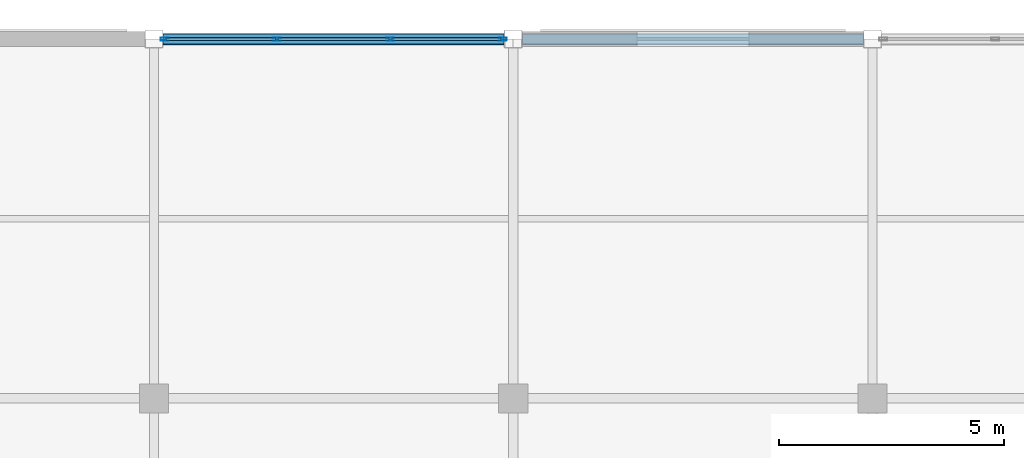
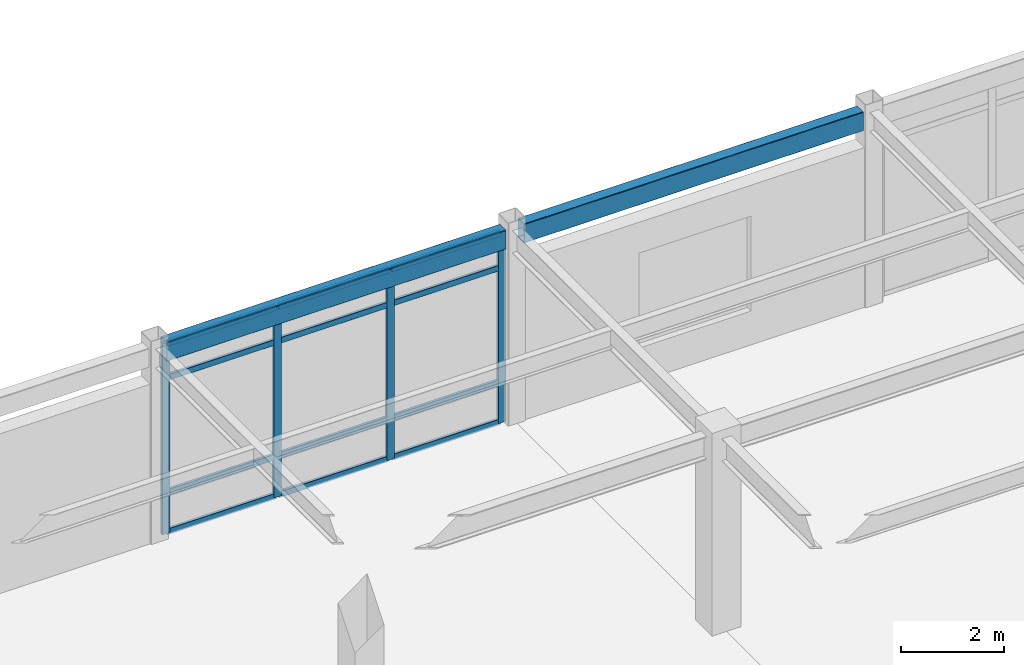
# One storey, part 61 of 117: 16 members, 2 beams, 1 element without a shape of its own.
"""IFC4 building model written with IfcOpenShell, lengths in metres."""

from ifc_helpers import new_model, si_unit, direction, frame, origin, origin_2d, place, context, subcontext, project, spatial, hollow_rectangle, extrude, material, material_profile, profile_set, type_object, element, aggregate, save


model = new_model("IFC4")

# Units and contexts
model_context = context("Model", 3, precision=1e-05, world=origin(), true_north=direction((0.0, 1.0)))
body_context = subcontext(model_context, "Body", "Model", "MODEL_VIEW")
ifc_project = project(units=[si_unit("LENGTHUNIT", "METRE"), si_unit("AREAUNIT", "SQUARE_METRE"), si_unit("VOLUMEUNIT", "CUBIC_METRE"), si_unit("PLANEANGLEUNIT", "RADIAN"), si_unit("MASSUNIT", "GRAM", prefix="KILO")], contexts=[model_context])

# Site, building, storey
site_placement = place(None, origin())
site = spatial("IfcSite", under=ifc_project, at=site_placement, CompositionType="ELEMENT")
building_placement = place(site_placement, origin())
building = spatial("IfcBuilding", under=site, at=building_placement, Name="Solmirada Galleria", CompositionType="ELEMENT")
storey_placement = place(building_placement, frame((0.0, 0.0, 5.60009765625)))
storey = spatial("IfcBuildingStorey", under=building, at=storey_placement, Name="L01", CompositionType="ELEMENT", Elevation=5.60009765625)

# Beams
ifc_material_1 = material(Name="Steel S355 / ASTM A500 Grade C", Category="steel")
ifc_material_profile_1 = material_profile(ifc_material_1, hollow_rectangle(XDim=0.25390625, YDim=0.45703125, WallThickness=0.01171875, InnerFilletRadius=0.01171875, OuterFilletRadius=0.023681640625, at=origin_2d()), Name="HSS18X10X1/2")
ifc_profile_set_1 = profile_set([ifc_material_profile_1], Name="Steel S355 / ASTM A500 Grade C")
beam_type = type_object("IfcBeamType", Name="BM-SPAND-W18", PredefinedType="SPANDREL", material=ifc_profile_set_1)
for number, where, z_axis, x_axis, name in (
    (1, (72.202880859375, 120.0, 4.371337890625), (1.0, 0.0, 0.0), (0.0, 1.0, 0.0), "Primary beam L02 X(72..80, 120)"),
    (2, (80.202880859375, 120.0, 4.371337890625), (1.0, 0.0, 0.0), (0.0, 1.0, 0.0), "Primary beam L02 X(80..88, 120)"),
):
    element("IfcBeam", number, at=place(storey_placement, frame(where, z_axis=z_axis, x_axis=x_axis)), inside=storey, type_object=beam_type, Name=name, PredefinedType="SPANDREL", context=body_context, shape_type="SweptSolid", body=[
        extrude(hollow_rectangle(XDim=0.25390625, YDim=0.45703125, WallThickness=0.01171875, InnerFilletRadius=0.01171875, OuterFilletRadius=0.023681640625, at=origin_2d()), origin(), (0.0, 0.0, 1.0), 7.59423828125),
    ])

# Curtain wall, members
ifc_material_2 = material(Name="Impact-resistant low-E double glazing", Category="glass")
curtain_wall_type = type_object("IfcCurtainWallType", Name="CW-FZ4-L01-B3-L076", PredefinedType="NOTDEFINED", material=ifc_material_2)
curtain_wall_placement = place(storey_placement, origin())
curtain_wall = element("IfcCurtainWall", 3, at=curtain_wall_placement, inside=storey, type_object=curtain_wall_type, Name="Terrace and arcade storefront CW-L01-053", PredefinedType="NOTDEFINED")
ifc_material_3 = material(Name="Anodised aluminium framing", Category="aluminium")
ifc_material_profile_2 = material_profile(ifc_material_3, hollow_rectangle(XDim=0.06494140625, YDim=0.179931640625, WallThickness=0.00390625, InnerFilletRadius=0.00390625, OuterFilletRadius=0.008056640625, at=origin_2d()), Name="ALU-MULL-180X65")
ifc_profile_set_2 = profile_set([ifc_material_profile_2], Name="Anodised aluminium framing")
member_type_1 = type_object("IfcMemberType", Name="CW-MULL-180", PredefinedType="MULLION", material=ifc_profile_set_2)
member_1_placement = place(storey_placement, frame((72.237548828125, 120.0, 0.0), z_axis=(0.0, 0.0, 1.0), x_axis=(0.0, 1.0, 0.0)))
member_1 = element("IfcMember", 4, at=member_1_placement, type_object=member_type_1, Name="CW14 mullion 1", PredefinedType="MULLION", context=body_context, shape_type="SweptSolid", body=[
    extrude(hollow_rectangle(XDim=0.06494140625, YDim=0.179931640625, WallThickness=0.00390625, InnerFilletRadius=0.00390625, OuterFilletRadius=0.008056640625, at=origin_2d()), origin(), (0.0, 0.0, 1.0), 4.52001953125),
])
member_2_placement = place(storey_placement, frame((74.735107421875, 120.0, 0.0), z_axis=(0.0, 0.0, 1.0), x_axis=(0.0, 1.0, 0.0)))
member_2 = element("IfcMember", 5, at=member_2_placement, type_object=member_type_1, Name="CW14 mullion 2", PredefinedType="MULLION", context=body_context, shape_type="SweptSolid", body=[
    extrude(hollow_rectangle(XDim=0.06494140625, YDim=0.179931640625, WallThickness=0.00390625, InnerFilletRadius=0.00390625, OuterFilletRadius=0.008056640625, at=origin_2d()), origin(), (0.0, 0.0, 1.0), 4.52001953125),
])
member_3_placement = place(storey_placement, frame((77.264892578125, 120.0, 0.0), z_axis=(0.0, 0.0, 1.0), x_axis=(0.0, 1.0, 0.0)))
member_3 = element("IfcMember", 6, at=member_3_placement, type_object=member_type_1, Name="CW14 mullion 3", PredefinedType="MULLION", context=body_context, shape_type="SweptSolid", body=[
    extrude(hollow_rectangle(XDim=0.06494140625, YDim=0.179931640625, WallThickness=0.00390625, InnerFilletRadius=0.00390625, OuterFilletRadius=0.008056640625, at=origin_2d()), origin(), (0.0, 0.0, 1.0), 4.52001953125),
])
member_4_placement = place(storey_placement, frame((79.762451171875, 120.0, 0.0), z_axis=(0.0, 0.0, 1.0), x_axis=(0.0, 1.0, 0.0)))
member_4 = element("IfcMember", 7, at=member_4_placement, type_object=member_type_1, Name="CW14 mullion 4", PredefinedType="MULLION", context=body_context, shape_type="SweptSolid", body=[
    extrude(hollow_rectangle(XDim=0.06494140625, YDim=0.179931640625, WallThickness=0.00390625, InnerFilletRadius=0.00390625, OuterFilletRadius=0.008056640625, at=origin_2d()), origin(), (0.0, 0.0, 1.0), 4.52001953125),
])
ifc_material_profile_3 = material_profile(ifc_material_3, hollow_rectangle(XDim=0.06494140625, YDim=0.139892578125, WallThickness=0.00341796875, InnerFilletRadius=0.00341796875, OuterFilletRadius=0.007080078125, at=origin_2d()), Name="ALU-TRAN-140X65")
ifc_profile_set_3 = profile_set([ifc_material_profile_3], Name="Anodised aluminium framing")
member_type_2 = type_object("IfcMemberType", Name="CW-TRAN-140", PredefinedType="USERDEFINED", material=ifc_profile_set_3)
member_5_placement = place(storey_placement, frame((72.27001953125, 120.0, 0.032470703125), z_axis=(1.0, 0.0, 0.0), x_axis=(0.0, 1.0, 0.0)))
member_5 = element("IfcMember", 8, at=member_5_placement, type_object=member_type_2, Name="CW14 transom 1.1", ObjectType="TRANSOM", PredefinedType="USERDEFINED", context=body_context, shape_type="SweptSolid", body=[
    extrude(hollow_rectangle(XDim=0.06494140625, YDim=0.139892578125, WallThickness=0.00341796875, InnerFilletRadius=0.00341796875, OuterFilletRadius=0.007080078125, at=origin_2d()), origin(), (0.0, 0.0, 1.0), 2.432373046875),
])
member_6_placement = place(storey_placement, frame((72.27001953125, 120.0, 0.9599609375), z_axis=(1.0, 0.0, 0.0), x_axis=(0.0, 1.0, 0.0)))
member_6 = element("IfcMember", 9, at=member_6_placement, type_object=member_type_2, Name="CW14 transom 1.2", ObjectType="TRANSOM", PredefinedType="USERDEFINED", context=body_context, shape_type="SweptSolid", body=[
    extrude(hollow_rectangle(XDim=0.06494140625, YDim=0.139892578125, WallThickness=0.00341796875, InnerFilletRadius=0.00341796875, OuterFilletRadius=0.007080078125, at=origin_2d()), origin(), (0.0, 0.0, 1.0), 2.432373046875),
])
member_7_placement = place(storey_placement, frame((72.27001953125, 120.0, 3.679931640625), z_axis=(1.0, 0.0, 0.0), x_axis=(0.0, 1.0, 0.0)))
member_7 = element("IfcMember", 10, at=member_7_placement, type_object=member_type_2, Name="CW14 transom 1.3", ObjectType="TRANSOM", PredefinedType="USERDEFINED", context=body_context, shape_type="SweptSolid", body=[
    extrude(hollow_rectangle(XDim=0.06494140625, YDim=0.139892578125, WallThickness=0.00341796875, InnerFilletRadius=0.00341796875, OuterFilletRadius=0.007080078125, at=origin_2d()), origin(), (0.0, 0.0, 1.0), 2.432373046875),
])
member_8_placement = place(storey_placement, frame((72.27001953125, 120.0, 4.4873046875), z_axis=(1.0, 0.0, 0.0), x_axis=(0.0, 1.0, 0.0)))
member_8 = element("IfcMember", 11, at=member_8_placement, type_object=member_type_2, Name="CW14 transom 1.4", ObjectType="TRANSOM", PredefinedType="USERDEFINED", context=body_context, shape_type="SweptSolid", body=[
    extrude(hollow_rectangle(XDim=0.06494140625, YDim=0.139892578125, WallThickness=0.00341796875, InnerFilletRadius=0.00341796875, OuterFilletRadius=0.007080078125, at=origin_2d()), origin(), (0.0, 0.0, 1.0), 2.432373046875),
])
member_9_placement = place(storey_placement, frame((74.767578125, 120.0, 0.032470703125), z_axis=(1.0, 0.0, 0.0), x_axis=(0.0, 1.0, 0.0)))
member_9 = element("IfcMember", 12, at=member_9_placement, type_object=member_type_2, Name="CW14 transom 2.1", ObjectType="TRANSOM", PredefinedType="USERDEFINED", context=body_context, shape_type="SweptSolid", body=[
    extrude(hollow_rectangle(XDim=0.06494140625, YDim=0.139892578125, WallThickness=0.00341796875, InnerFilletRadius=0.00341796875, OuterFilletRadius=0.007080078125, at=origin_2d()), origin(), (0.0, 0.0, 1.0), 2.46484375),
])
member_10_placement = place(storey_placement, frame((74.767578125, 120.0, 0.9599609375), z_axis=(1.0, 0.0, 0.0), x_axis=(0.0, 1.0, 0.0)))
member_10 = element("IfcMember", 13, at=member_10_placement, type_object=member_type_2, Name="CW14 transom 2.2", ObjectType="TRANSOM", PredefinedType="USERDEFINED", context=body_context, shape_type="SweptSolid", body=[
    extrude(hollow_rectangle(XDim=0.06494140625, YDim=0.139892578125, WallThickness=0.00341796875, InnerFilletRadius=0.00341796875, OuterFilletRadius=0.007080078125, at=origin_2d()), origin(), (0.0, 0.0, 1.0), 2.46484375),
])
member_11_placement = place(storey_placement, frame((74.767578125, 120.0, 3.679931640625), z_axis=(1.0, 0.0, 0.0), x_axis=(0.0, 1.0, 0.0)))
member_11 = element("IfcMember", 14, at=member_11_placement, type_object=member_type_2, Name="CW14 transom 2.3", ObjectType="TRANSOM", PredefinedType="USERDEFINED", context=body_context, shape_type="SweptSolid", body=[
    extrude(hollow_rectangle(XDim=0.06494140625, YDim=0.139892578125, WallThickness=0.00341796875, InnerFilletRadius=0.00341796875, OuterFilletRadius=0.007080078125, at=origin_2d()), origin(), (0.0, 0.0, 1.0), 2.46484375),
])
member_12_placement = place(storey_placement, frame((74.767578125, 120.0, 4.4873046875), z_axis=(1.0, 0.0, 0.0), x_axis=(0.0, 1.0, 0.0)))
member_12 = element("IfcMember", 15, at=member_12_placement, type_object=member_type_2, Name="CW14 transom 2.4", ObjectType="TRANSOM", PredefinedType="USERDEFINED", context=body_context, shape_type="SweptSolid", body=[
    extrude(hollow_rectangle(XDim=0.06494140625, YDim=0.139892578125, WallThickness=0.00341796875, InnerFilletRadius=0.00341796875, OuterFilletRadius=0.007080078125, at=origin_2d()), origin(), (0.0, 0.0, 1.0), 2.46484375),
])
member_13_placement = place(storey_placement, frame((77.297607421875, 120.0, 0.032470703125), z_axis=(1.0, 0.0, 0.0), x_axis=(0.0, 1.0, 0.0)))
member_13 = element("IfcMember", 16, at=member_13_placement, type_object=member_type_2, Name="CW14 transom 3.1", ObjectType="TRANSOM", PredefinedType="USERDEFINED", context=body_context, shape_type="SweptSolid", body=[
    extrude(hollow_rectangle(XDim=0.06494140625, YDim=0.139892578125, WallThickness=0.00341796875, InnerFilletRadius=0.00341796875, OuterFilletRadius=0.007080078125, at=origin_2d()), origin(), (0.0, 0.0, 1.0), 2.432373046875),
])
member_14_placement = place(storey_placement, frame((77.297607421875, 120.0, 0.9599609375), z_axis=(1.0, 0.0, 0.0), x_axis=(0.0, 1.0, 0.0)))
member_14 = element("IfcMember", 17, at=member_14_placement, type_object=member_type_2, Name="CW14 transom 3.2", ObjectType="TRANSOM", PredefinedType="USERDEFINED", context=body_context, shape_type="SweptSolid", body=[
    extrude(hollow_rectangle(XDim=0.06494140625, YDim=0.139892578125, WallThickness=0.00341796875, InnerFilletRadius=0.00341796875, OuterFilletRadius=0.007080078125, at=origin_2d()), origin(), (0.0, 0.0, 1.0), 2.432373046875),
])
member_15_placement = place(storey_placement, frame((77.297607421875, 120.0, 3.679931640625), z_axis=(1.0, 0.0, 0.0), x_axis=(0.0, 1.0, 0.0)))
member_15 = element("IfcMember", 18, at=member_15_placement, type_object=member_type_2, Name="CW14 transom 3.3", ObjectType="TRANSOM", PredefinedType="USERDEFINED", context=body_context, shape_type="SweptSolid", body=[
    extrude(hollow_rectangle(XDim=0.06494140625, YDim=0.139892578125, WallThickness=0.00341796875, InnerFilletRadius=0.00341796875, OuterFilletRadius=0.007080078125, at=origin_2d()), origin(), (0.0, 0.0, 1.0), 2.432373046875),
])
member_16_placement = place(storey_placement, frame((77.297607421875, 120.0, 4.4873046875), z_axis=(1.0, 0.0, 0.0), x_axis=(0.0, 1.0, 0.0)))
member_16 = element("IfcMember", 19, at=member_16_placement, type_object=member_type_2, Name="CW14 transom 3.4", ObjectType="TRANSOM", PredefinedType="USERDEFINED", context=body_context, shape_type="SweptSolid", body=[
    extrude(hollow_rectangle(XDim=0.06494140625, YDim=0.139892578125, WallThickness=0.00341796875, InnerFilletRadius=0.00341796875, OuterFilletRadius=0.007080078125, at=origin_2d()), origin(), (0.0, 0.0, 1.0), 2.432373046875),
])
aggregate(curtain_wall, [member_1, member_2, member_3, member_4, member_5, member_6, member_7, member_8, member_9, member_10, member_11, member_12, member_13, member_14, member_15, member_16])

save(model, "model.ifc")
